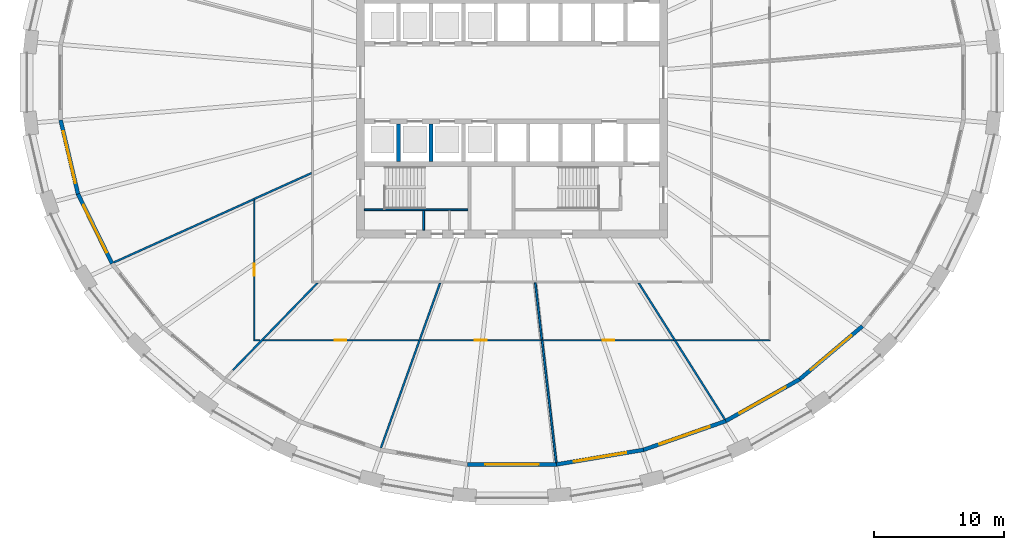
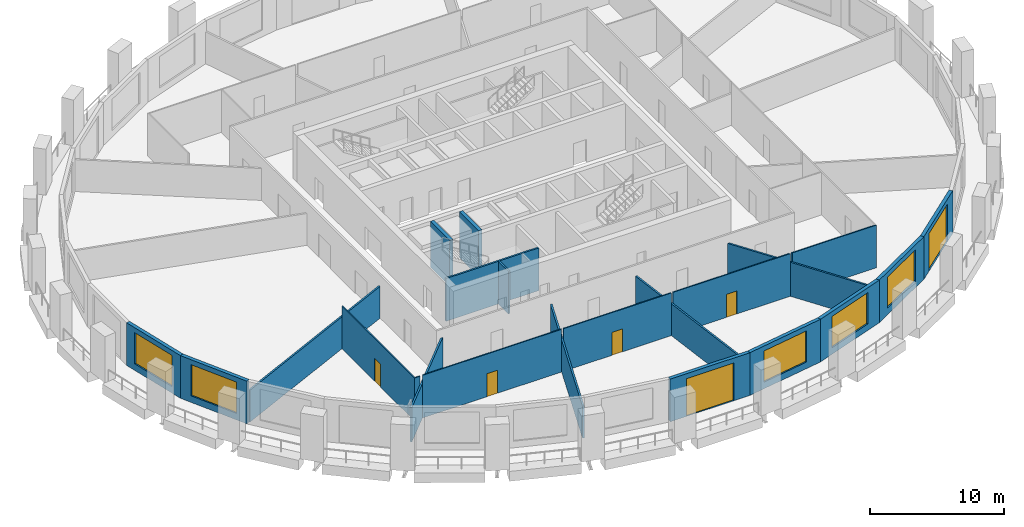
# One storey, part 3 of 11: 24 walls, 6 doors, 5 windows, 11 openings.
"""IFC4 building model written with IfcOpenShell, lengths in metres."""

from ifc_helpers import new_model, si_unit, direction, frame, frame_2d, origin, place, context, subcontext, project, spatial, polyline, rectangle, outline, extrude, material, layer, layer_set, type_object, element, fill, save


model = new_model("IFC4")

# Units and contexts
model_context = context("Model", 3, precision=1e-05, world=origin(), true_north=direction((0.0, 1.0)))
body_context = subcontext(model_context, "Body", "Model", "MODEL_VIEW")
ifc_project = project(units=[si_unit("LENGTHUNIT", "METRE"), si_unit("AREAUNIT", "SQUARE_METRE"), si_unit("VOLUMEUNIT", "CUBIC_METRE"), si_unit("PLANEANGLEUNIT", "RADIAN"), si_unit("MASSUNIT", "GRAM", prefix="KILO")], contexts=[model_context])

# Site, building, storey
site_placement = place(None, origin())
site = spatial("IfcSite", under=ifc_project, at=site_placement, CompositionType="ELEMENT")
building_placement = place(site_placement, origin())
building = spatial("IfcBuilding", under=site, at=building_placement, Name="Halqa Exchange Tower", CompositionType="ELEMENT")
storey_placement = place(building_placement, frame((0.0, 0.0, 44.5)))
storey = spatial("IfcBuildingStorey", under=building, at=storey_placement, Name="L09", CompositionType="ELEMENT", Elevation=44.5)

# Walls
ifc_material_1 = material(Name="Fire-rated gypsum board")
ifc_layer_1 = layer(ifc_material_1, 0.14990234375)
ifc_layer_set_1 = layer_set([ifc_layer_1], Name="Fire-rated gypsum board")
wall_type_1 = type_object("IfcWallType", Name="Fire partition EI 60 150", PredefinedType="PARTITIONING", material=ifc_layer_set_1)
wall_1_placement = place(storey_placement, frame((-30.744384765625, -13.8955078125, 0.0), z_axis=(0.0, 0.0, 1.0), x_axis=(0.91143189519, 0.411450969654, 0.0)))
element("IfcWall", 1, at=wall_1_placement, inside=storey, type_object=wall_type_1, Name="L09-PWL-001", PredefinedType="PARTITIONING", context=body_context, shape_type="SweptSolid", body=[
    extrude(outline(polyline([(0.0205078125, -0.074951171875), (1.9853515625, -0.074951171875), (3.9501953125, -0.074951171875), (5.9150390625, -0.074951171875), (7.8798828125, -0.074951171875), (9.8447265625, -0.074951171875), (11.8095703125, -0.074951171875), (11.810546875, -0.07275390625), (11.815185546875, -0.074951171875), (11.90234375, -0.074951171875), (11.90234375, -0.06591796875), (11.90234375, -0.06591796875), (11.90234375, 0.0615234375), (11.90234375, 0.074951171875), (9.918701171875, 0.074951171875), (7.934814453125, 0.074951171875), (5.951171875, 0.074951171875), (3.967529296875, 0.074951171875), (1.983642578125, 0.074951171875), (0.0, 0.074951171875), (0.0, 0.066162109375), (0.002197265625, -0.00146484375), (0.0205078125, -0.074951171875)])), origin(), (0.0, 0.0, 1.0), 2.909912109375),
])
wall_2_placement = place(storey_placement, frame((-19.89990234375, -8.989990234375, 0.0), z_axis=(0.0, 0.0, 1.0), x_axis=(0.911546381607, 0.411197269178, 0.0)))
element("IfcWall", 2, at=wall_2_placement, inside=storey, type_object=wall_type_1, Name="L09-PWL-005", PredefinedType="PARTITIONING", context=body_context, shape_type="SweptSolid", body=[
    extrude(outline(polyline([(0.020263671875, -0.074951171875), (1.620361328125, -0.074951171875), (3.220458984375, -0.074951171875), (4.820556640625, -0.074951171875), (4.88818359375, 0.074951171875), (3.2587890625, 0.074951171875), (1.62939453125, 0.074951171875), (0.0, 0.074951171875), (0.0, -0.06591796875), (0.020263671875, -0.074951171875)])), origin(), (0.0, 0.0, 1.0), 2.909912109375),
])
wall_3_placement = place(storey_placement, frame((-10.119384765625, -28.209228515625, 0.0), z_axis=(0.0, 0.0, 1.0), x_axis=(0.337949016046, 0.941164418448, 0.0)))
element("IfcWall", 3, at=wall_3_placement, inside=storey, type_object=wall_type_1, Name="L09-PWL-014", PredefinedType="PARTITIONING", context=body_context, shape_type="SweptSolid", body=[
    extrude(outline(polyline([(0.013916015625, -0.074951171875), (1.791748046875, -0.074951171875), (3.569580078125, -0.074951171875), (5.347412109375, -0.074951171875), (7.12548828125, -0.074951171875), (8.9033203125, -0.074951171875), (8.908203125, -0.0732421875), (8.90869140625, -0.074951171875), (10.4580078125, -0.074951171875), (12.007568359375, -0.074951171875), (13.556884765625, -0.074951171875), (13.556884765625, -0.073974609375), (13.554931640625, -0.068603515625), (13.554931640625, -0.068603515625), (13.50341796875, 0.074951171875), (11.919189453125, 0.074951171875), (10.335205078125, 0.074951171875), (8.751220703125, 0.074951171875), (8.7490234375, 0.07421875), (8.74853515625, 0.074951171875), (6.9990234375, 0.074951171875), (5.249267578125, 0.074951171875), (3.49951171875, 0.074951171875), (1.749755859375, 0.074951171875), (0.0, 0.074951171875), (0.0, 0.070556640625), (0.00048828125, -0.00048828125), (0.013916015625, -0.074951171875)])), origin(), (0.0, 0.0, 1.0), 2.909912109375),
])
wall_4_placement = place(storey_placement, frame((1.797607421875, -15.466552734375, 0.0), z_axis=(0.0, 0.0, 1.0), x_axis=(0.114783679138, -0.993390510828, 0.0)))
element("IfcWall", 4, at=wall_4_placement, inside=storey, type_object=wall_type_1, Name="L09-PWL-018", PredefinedType="PARTITIONING", context=body_context, shape_type="SweptSolid", body=[
    extrude(outline(polyline([(0.0, -0.074951171875), (1.468017578125, -0.074951171875), (2.93603515625, -0.074951171875), (4.404052734375, -0.074951171875), (4.404052734375, -0.07470703125), (4.406982421875, -0.074951171875), (4.413330078125, -0.074951171875), (4.413330078125, 0.074951171875), (2.947998046875, 0.074951171875), (1.482666015625, 0.074951171875), (0.01708984375, 0.074951171875), (0.0, -0.073486328125), (0.0, -0.074951171875)])), origin(), (0.0, 0.0, 1.0), 2.909912109375),
])
wall_5_placement = place(storey_placement, frame((2.314208984375, -19.850341796875, 0.0), z_axis=(0.0, 0.0, 1.0), x_axis=(0.115247328534, -0.9933368277, 0.0)))
element("IfcWall", 5, at=wall_5_placement, inside=storey, type_object=wall_type_1, Name="L09-PWL-020", PredefinedType="PARTITIONING", context=body_context, shape_type="SweptSolid", body=[
    extrude(outline(polyline([(0.0888671875, -0.074951171875), (1.979248046875, -0.074951171875), (3.86962890625, -0.074951171875), (5.760009765625, -0.074951171875), (7.650390625, -0.074951171875), (9.540771484375, -0.074951171875), (9.545654296875, -0.033935546875), (9.545654296875, 0.074951171875), (7.658447265625, 0.074951171875), (5.77099609375, 0.074951171875), (3.8837890625, 0.074951171875), (1.996337890625, 0.074951171875), (0.109130859375, 0.074951171875), (0.10888671875, 0.07373046875), (0.098388671875, 0.074951171875), (0.0, 0.074951171875), (0.0, -0.064697265625), (0.0888671875, -0.074951171875)])), origin(), (0.0, 0.0, 1.0), 2.909912109375),
])
wall_6_placement = place(storey_placement, frame((9.752197265625, -15.43505859375, 0.0), z_axis=(0.0, 0.0, 1.0), x_axis=(0.534413972524, -0.845222873549, 0.0)))
element("IfcWall", 6, at=wall_6_placement, inside=storey, type_object=wall_type_1, Name="L09-PWL-023", PredefinedType="PARTITIONING", context=body_context, shape_type="SweptSolid", body=[
    extrude(outline(polyline([(0.0, -0.074951171875), (1.725341796875, -0.074951171875), (3.45068359375, -0.074951171875), (5.176025390625, -0.074951171875), (5.17724609375, -0.07275390625), (5.1806640625, -0.074951171875), (7.00537109375, -0.074951171875), (8.830322265625, -0.074951171875), (10.655029296875, -0.074951171875), (12.479736328125, -0.074951171875), (12.497314453125, 0.001220703125), (12.50048828125, 0.064208984375), (12.50048828125, 0.074951171875), (10.72265625, 0.074951171875), (8.94482421875, 0.074951171875), (7.1669921875, 0.074951171875), (5.38916015625, 0.074951171875), (5.387451171875, 0.072265625), (5.38330078125, 0.074951171875), (3.620361328125, 0.074951171875), (1.857666015625, 0.074951171875), (0.0947265625, 0.074951171875), (0.0, -0.07470703125), (0.0, -0.074951171875)])), origin(), (0.0, 0.0, 1.0), 3.110107421875),
])
wall_7_placement = place(storey_placement, frame((-21.537109375, -22.19384765625, 0.0), z_axis=(0.0, 0.0, 1.0), x_axis=(0.696644213118, 0.71741678286, 0.0)))
element("IfcWall", 7, at=wall_7_placement, inside=storey, type_object=wall_type_1, Name="L09-PWL-041", PredefinedType="PARTITIONING", context=body_context, shape_type="SweptSolid", body=[
    extrude(outline(polyline([(0.0, -0.074951171875), (1.66748046875, -0.074951171875), (3.3349609375, -0.074951171875), (3.33740234375, -0.072509765625), (3.33984375, -0.074951171875), (4.8642578125, -0.074951171875), (6.388916015625, -0.074951171875), (7.913330078125, -0.074951171875), (9.437744140625, -0.074951171875), (9.437744140625, -0.074462890625), (9.344970703125, 0.02099609375), (9.344970703125, 0.02099609375), (9.29248046875, 0.074951171875), (7.734130859375, 0.074951171875), (6.17578125, 0.074951171875), (4.6171875, 0.074951171875), (3.058837890625, 0.074951171875), (3.056884765625, 0.072998046875), (3.054931640625, 0.074951171875), (1.52734375, 0.074951171875), (0.0, 0.074951171875), (0.0, -0.074951171875)])), origin(), (0.0, 0.0, 1.0), 3.14697265625),
])

# Wall, opening, door
ifc_material_2 = material(Name="Gypsum board")
ifc_layer_2 = layer(ifc_material_2, 0.10009765625)
ifc_layer_set_2 = layer_set([ifc_layer_2], Name="Gypsum board")
wall_type_2 = type_object("IfcWallType", Name="Partition 100 gypsum", PredefinedType="PARTITIONING", material=ifc_layer_set_2)
wall_8_placement = place(storey_placement, frame((-19.89990234375, -19.949951171875, 0.0), z_axis=(0.0, 0.0, 1.0), x_axis=(0.0, 1.0, 0.0)))
wall_8 = element("IfcWall", 8, at=wall_8_placement, inside=storey, type_object=wall_type_2, Name="L09-PWL-004", PredefinedType="PARTITIONING", context=body_context, shape_type="SweptSolid", body=[
    extrude(outline(polyline([(10.89990234375, -0.050048828125), (10.89990234375, -0.04931640625), (10.8916015625, -0.03076171875), (10.88330078125, -0.034423828125), (10.84521484375, 0.050048828125), (9.03759765625, 0.050048828125), (7.22998046875, 0.050048828125), (5.422607421875, 0.050048828125), (3.614990234375, 0.050048828125), (1.8076171875, 0.050048828125), (0.0, 0.050048828125), (0.099853515625, -0.0498046875), (0.10009765625, -0.050048828125), (1.900146484375, -0.050048828125), (3.699951171875, -0.050048828125), (5.5, -0.050048828125), (7.300048828125, -0.050048828125), (9.099853515625, -0.050048828125), (10.89990234375, -0.050048828125)])), origin(), (0.0, 0.0, 1.0), 3.89990234375),
])
opening_1_placement = place(wall_8_placement, frame((5.050048828125, 0.0, 0.0)))
opening_1 = element("IfcOpeningElement", 9, at=opening_1_placement, cuts=wall_8, Name="Opening 02-18", PredefinedType="OPENING", context=body_context, shape_type="SweptSolid", body=[
    extrude(rectangle(XDim=0.89990234375, YDim=2.10009765625, at=frame_2d((0.449951171875, 1.050048828125))), frame((0.0, 0.06201171875, 0.0), z_axis=(0.0, -1.0, 0.0), x_axis=(1.0, 0.0, 0.0)), (0.0, 0.0, 1.0), 0.1240234375),
])
ifc_material_3 = material(Name="Timber door leaf", Category="wood")
door_type_1 = type_object("IfcDoorType", Name="Door 900 x 2100", OperationType="SINGLE_SWING_LEFT", PredefinedType="DOOR", material=ifc_material_3)
door_1_placement = place(opening_1_placement, frame((0.89990234375, 0.0, 0.0), z_axis=(0.0, 0.0, 1.0), x_axis=(-1.0, 0.0, 0.0)))
door_1 = element("IfcDoor", 10, at=door_1_placement, inside=storey, type_object=door_type_1, Name="L09-IDR-018", OperationType="SINGLE_SWING_LEFT", OverallHeight=2.10009765625, OverallWidth=0.89990234375, PredefinedType="DOOR", context=body_context, shape_type="SweptSolid", body=[
    extrude(rectangle(XDim=0.89990234375, YDim=2.10009765625, at=frame_2d((0.449951171875, 1.050048828125))), frame((0.0, 0.02490234375, 0.0), z_axis=(0.0, -1.0, 0.0), x_axis=(1.0, 0.0, 0.0)), (0.0, 0.0, 1.0), 0.050048828125),
])
fill(opening_1, door_1)

# Wall
wall_9_placement = place(storey_placement, frame((-19.4599609375, -19.89990234375, 0.0), z_axis=(0.0, 0.0, 1.0), x_axis=(-1.0, 0.0, 0.0)))
element("IfcWall", 11, at=wall_9_placement, inside=storey, type_object=wall_type_2, Name="L09-PWL-008", PredefinedType="PARTITIONING", context=body_context, shape_type="SweptSolid", body=[
    extrude(outline(polyline([(0.0, -0.050048828125), (0.389892578125, -0.050048828125), (0.489990234375, 0.050048828125), (0.0, 0.050048828125), (0.0, -0.050048828125)])), origin(), (0.0, 0.0, 1.0), 3.89990234375),
])

# Wall, opening, door
wall_10_placement = place(storey_placement, frame((-7.197998046875, -19.89990234375, 0.0), z_axis=(0.0, 0.0, 1.0), x_axis=(-1.0, 0.0, 0.0)))
wall_10 = element("IfcWall", 12, at=wall_10_placement, inside=storey, type_object=wall_type_2, Name="L09-PWL-016", PredefinedType="PARTITIONING", context=body_context, shape_type="SweptSolid", body=[
    extrude(outline(polyline([(0.0, -0.050048828125), (1.9931640625, -0.050048828125), (3.986083984375, -0.050048828125), (5.979248046875, -0.050048828125), (7.972412109375, -0.050048828125), (9.96533203125, -0.050048828125), (11.95849609375, -0.050048828125), (12.055419921875, 0.0498046875), (12.055419921875, 0.050048828125), (10.33837890625, 0.050048828125), (8.62109375, 0.050048828125), (6.904052734375, 0.050048828125), (5.186767578125, 0.050048828125), (3.4697265625, 0.050048828125), (1.752685546875, 0.050048828125), (0.035400390625, 0.050048828125), (0.0, -0.048583984375), (0.0, -0.050048828125)])), origin(), (0.0, 0.0, 1.0), 3.89990234375),
])
opening_2_placement = place(wall_10_placement, frame((5.576904296875, 0.0, 0.0)))
opening_2 = element("IfcOpeningElement", 13, at=opening_2_placement, cuts=wall_10, Name="Opening 02-19", PredefinedType="OPENING", context=body_context, shape_type="SweptSolid", body=[
    extrude(rectangle(XDim=0.89990234375, YDim=2.10009765625, at=frame_2d((0.449951171875, 1.050048828125))), frame((0.0, 0.06201171875, 0.0), z_axis=(0.0, -1.0, 0.0), x_axis=(1.0, 0.0, 0.0)), (0.0, 0.0, 1.0), 0.1240234375),
])
door_2_placement = place(opening_2_placement, frame((0.89990234375, 0.0, 0.0), z_axis=(0.0, 0.0, 1.0), x_axis=(-1.0, 0.0, 0.0)))
door_2 = element("IfcDoor", 14, at=door_2_placement, inside=storey, type_object=door_type_1, Name="L09-IDR-019", OperationType="SINGLE_SWING_LEFT", OverallHeight=2.10009765625, OverallWidth=0.89990234375, PredefinedType="DOOR", context=body_context, shape_type="SweptSolid", body=[
    extrude(rectangle(XDim=0.89990234375, YDim=2.10009765625, at=frame_2d((0.449951171875, 1.050048828125))), frame((0.0, 0.02490234375, 0.0), z_axis=(0.0, -1.0, 0.0), x_axis=(1.0, 0.0, 0.0)), (0.0, 0.0, 1.0), 0.050048828125),
])
fill(opening_2, door_2)

wall_11_placement = place(storey_placement, frame((2.25, -19.89990234375, 0.0), z_axis=(0.0, 0.0, 1.0), x_axis=(-1.0, 0.0, 0.0)))
wall_11 = element("IfcWall", 15, at=wall_11_placement, inside=storey, type_object=wall_type_2, Name="L09-PWL-019", PredefinedType="PARTITIONING", context=body_context, shape_type="SweptSolid", body=[
    extrude(outline(polyline([(0.021240234375, -0.050048828125), (1.874755859375, -0.050048828125), (3.72802734375, -0.050048828125), (5.581298828125, -0.050048828125), (7.434814453125, -0.050048828125), (9.2880859375, -0.050048828125), (9.323974609375, 0.050048828125), (9.323974609375, 0.050048828125), (7.459228515625, 0.050048828125), (5.594482421875, 0.050048828125), (3.7294921875, 0.050048828125), (1.86474609375, 0.050048828125), (0.0, 0.050048828125), (0.0, 0.04736328125), (0.01025390625, -0.041015625), (0.0, -0.0419921875), (0.0, -0.042724609375), (0.020263671875, -0.04052734375), (0.021240234375, -0.050048828125)])), origin(), (0.0, 0.0, 1.0), 3.89990234375),
])
opening_3_placement = place(wall_11_placement, frame((4.215087890625, 0.0, 0.0)))
opening_3 = element("IfcOpeningElement", 16, at=opening_3_placement, cuts=wall_11, Name="Opening 02-20", PredefinedType="OPENING", context=body_context, shape_type="SweptSolid", body=[
    extrude(rectangle(XDim=0.89990234375, YDim=2.10009765625, at=frame_2d((0.449951171875, 1.050048828125))), frame((0.0, 0.06201171875, 0.0), z_axis=(0.0, -1.0, 0.0), x_axis=(1.0, 0.0, 0.0)), (0.0, 0.0, 1.0), 0.1240234375),
])
door_3_placement = place(opening_3_placement, frame((0.89990234375, 0.0, 0.0), z_axis=(0.0, 0.0, 1.0), x_axis=(-1.0, 0.0, 0.0)))
door_3 = element("IfcDoor", 17, at=door_3_placement, inside=storey, type_object=door_type_1, Name="L09-IDR-020", OperationType="SINGLE_SWING_RIGHT", OverallHeight=2.10009765625, OverallWidth=0.89990234375, PredefinedType="DOOR", context=body_context, shape_type="SweptSolid", body=[
    extrude(rectangle(XDim=0.89990234375, YDim=2.10009765625, at=frame_2d((0.449951171875, 1.050048828125))), frame((0.0, 0.02490234375, 0.0), z_axis=(0.0, -1.0, 0.0), x_axis=(1.0, 0.0, 0.0)), (0.0, 0.0, 1.0), 0.050048828125),
])
fill(opening_3, door_3)

wall_12_placement = place(storey_placement, frame((12.51806640625, -19.89990234375, 0.0), z_axis=(0.0, 0.0, 1.0), x_axis=(-1.0, 0.0, 0.0)))
wall_12 = element("IfcWall", 18, at=wall_12_placement, inside=storey, type_object=wall_type_2, Name="L09-PWL-024", PredefinedType="PARTITIONING", context=body_context, shape_type="SweptSolid", body=[
    extrude(outline(polyline([(10.128173828125, -0.050048828125), (10.128173828125, -0.0478515625), (10.11669921875, 0.050048828125), (8.4306640625, 0.050048828125), (6.74462890625, 0.050048828125), (5.058349609375, 0.050048828125), (3.372314453125, 0.050048828125), (1.68603515625, 0.050048828125), (0.0, 0.050048828125), (0.0, 0.050048828125), (0.063232421875, -0.050048828125), (1.74072265625, -0.050048828125), (3.418212890625, -0.050048828125), (5.095703125, -0.050048828125), (6.773193359375, -0.050048828125), (8.45068359375, -0.050048828125), (10.128173828125, -0.050048828125)])), origin(), (0.0, 0.0, 1.0), 3.89990234375),
])
opening_4_placement = place(wall_12_placement, frame((4.617919921875, 0.0, 0.0)))
opening_4 = element("IfcOpeningElement", 19, at=opening_4_placement, cuts=wall_12, Name="Opening 02-21", PredefinedType="OPENING", context=body_context, shape_type="SweptSolid", body=[
    extrude(rectangle(XDim=0.89990234375, YDim=2.10009765625, at=frame_2d((0.449951171875, 1.050048828125))), frame((0.0, 0.06201171875, 0.0), z_axis=(0.0, -1.0, 0.0), x_axis=(1.0, 0.0, 0.0)), (0.0, 0.0, 1.0), 0.1240234375),
])
door_4_placement = place(opening_4_placement, frame((0.89990234375, 0.0, 0.0), z_axis=(0.0, 0.0, 1.0), x_axis=(-1.0, 0.0, 0.0)))
door_4 = element("IfcDoor", 20, at=door_4_placement, inside=storey, type_object=door_type_1, Name="L09-IDR-021", OperationType="SINGLE_SWING_RIGHT", OverallHeight=2.10009765625, OverallWidth=0.89990234375, PredefinedType="DOOR", context=body_context, shape_type="SweptSolid", body=[
    extrude(rectangle(XDim=0.89990234375, YDim=2.10009765625, at=frame_2d((0.449951171875, 1.050048828125))), frame((0.0, 0.02490234375, 0.0), z_axis=(0.0, -1.0, 0.0), x_axis=(1.0, 0.0, 0.0)), (0.0, 0.0, 1.0), 0.050048828125),
])
fill(opening_4, door_4)

# Walls
wall_13_placement = place(storey_placement, frame((19.949951171875, -19.89990234375, 0.0), z_axis=(0.0, 0.0, 1.0), x_axis=(-1.0, 0.0, 0.0)))
element("IfcWall", 21, at=wall_13_placement, inside=storey, type_object=wall_type_2, Name="L09-PWL-031", PredefinedType="PARTITIONING", context=body_context, shape_type="SweptSolid", body=[
    extrude(outline(polyline([(7.3173828125, -0.050048828125), (7.3173828125, -0.049560546875), (7.25439453125, 0.050048828125), (5.440673828125, 0.050048828125), (3.627197265625, 0.050048828125), (1.8134765625, 0.050048828125), (0.0, 0.050048828125), (0.099853515625, -0.0498046875), (0.10009765625, -0.050048828125), (1.904296875, -0.050048828125), (3.708740234375, -0.050048828125), (5.51318359375, -0.050048828125), (7.3173828125, -0.050048828125)])), origin(), (0.0, 0.0, 1.0), 3.89990234375),
])
ifc_layer_3 = layer(ifc_material_2, 0.14990234375)
ifc_layer_set_3 = layer_set([ifc_layer_3], Name="Gypsum board")
wall_type_3 = type_object("IfcWallType", Name="Penthouse riser wall 150 gypsum", PredefinedType="PARTITIONING", material=ifc_layer_set_3)
wall_14_placement = place(storey_placement, frame((-6.824951171875, -11.39990234375, 0.0), z_axis=(0.0, 0.0, 1.0), x_axis=(0.0, 1.0, 0.0)))
element("IfcWall", 22, at=wall_14_placement, inside=storey, type_object=wall_type_3, Name="Partition W6.825 S", PredefinedType="PARTITIONING", context=body_context, shape_type="SweptSolid", body=[
    extrude(rectangle(XDim=1.5, YDim=0.14990234375, at=frame_2d((0.75, 0.0))), origin(), (0.0, 0.0, 1.0), 3.89990234375),
])
ifc_material_4 = material(Name="Concrete C60/75", Category="concrete")
ifc_layer_4 = layer(ifc_material_4, 0.300048828125)
ifc_layer_set_4 = layer_set([ifc_layer_4], Name="Concrete C60/75")
wall_type_4 = type_object("IfcWallType", Name="RC core wall 300", PredefinedType="SHEAR", material=ifc_layer_set_4)
for number, where, z_axis, x_axis, name in (
    (23, (-8.75, -6.10009765625, 0.0), (0.0, 0.0, 1.0), (0.0, 1.0, 0.0), "Shaft divider S1"),
    (24, (-6.25, -6.10009765625, 0.0), (0.0, 0.0, 1.0), (0.0, 1.0, 0.0), "Shaft divider S2"),
):
    element("IfcWall", number, at=place(storey_placement, frame(where, z_axis=z_axis, x_axis=x_axis)), inside=storey, type_object=wall_type_4, Name=name, PredefinedType="SHEAR", context=body_context, shape_type="SweptSolid", body=[
        extrude(rectangle(XDim=2.900146484375, YDim=0.300048828125, at=frame_2d((1.4501953125, 0.0))), origin(), (0.0, 0.0, 1.0), 4.199951171875),
    ])
ifc_material_5 = material(Name="Concrete C30/37", Category="concrete")
ifc_layer_5 = layer(ifc_material_5, 0.14990234375)
ifc_layer_set_5 = layer_set([ifc_layer_5], Name="Concrete C30/37")
wall_type_5 = type_object("IfcWallType", Name="RC stair wall 150 C30/37", PredefinedType="SHEAR", material=ifc_layer_set_5)
wall_15_placement = place(storey_placement, frame((-11.39990234375, -9.824951171875, 0.0), z_axis=(0.0, 0.0, 1.0), x_axis=(1.0, 0.0, 0.0)))
element("IfcWall", 25, at=wall_15_placement, inside=storey, type_object=wall_type_5, Name="Stair ST1 north wall S", PredefinedType="SHEAR", context=body_context, shape_type="SweptSolid", body=[
    extrude(rectangle(XDim=8.0, YDim=0.14990234375, at=frame_2d((4.0, 0.0))), origin(), (0.0, 0.0, 1.0), 3.89990234375),
])

# Wall, opening, window
ifc_material_6 = material(Name="Limestone cladding", Category="masonry")
ifc_layer_6 = layer(ifc_material_6, 0.0400390625)
ifc_material_7 = material(Name="Ventilated cavity")
ifc_layer_7 = layer(ifc_material_7, 0.030029296875, ventilated=True)
ifc_material_8 = material(Name="Mineral wool insulation")
ifc_layer_8 = layer(ifc_material_8, 0.10009765625)
ifc_layer_9 = layer(ifc_material_5, 0.10009765625)
ifc_material_9 = material(Name="Internal plaster")
ifc_layer_10 = layer(ifc_material_9, 0.030029296875)
ifc_layer_set_6 = layer_set([ifc_layer_6, ifc_layer_7, ifc_layer_8, ifc_layer_9, ifc_layer_10], Name="Stone-faced insulated wall 300")
wall_type_6 = type_object("IfcWallType", Name="Stone-faced insulated wall 300", PredefinedType="STANDARD", material=ifc_layer_set_6)
wall_16_placement = place(storey_placement, frame((-34.840087890625, -2.90673828125, 0.0), z_axis=(0.0, 0.0, 1.0), x_axis=(0.228976600496, -0.97343192696, 0.0)))
wall_16 = element("IfcWall", 26, at=wall_16_placement, inside=storey, type_object=wall_type_6, Name="Glass-line wall 17", PredefinedType="STANDARD", context=body_context, shape_type="SweptSolid", body=[
    extrude(outline(polyline([(-0.017333984375, -0.14990234375), (5.87353515625, -0.14990234375), (5.83984375, 0.14990234375), (0.017333984375, 0.14990234375), (-0.017333984375, -0.14990234375)])), origin(), (0.0, 0.0, 1.0), 3.89990234375),
])
opening_5_placement = place(wall_16_placement, frame((0.87841796875, 0.0, 0.60009765625)))
opening_5 = element("IfcOpeningElement", 27, at=opening_5_placement, cuts=wall_16, Name="Opening W-F1-17", PredefinedType="OPENING", context=body_context, shape_type="SweptSolid", body=[
    extrude(rectangle(XDim=4.10009765625, YDim=2.85009765625, at=frame_2d((2.050048828125, 1.425048828125))), frame((0.0, 0.162109375, 0.0), z_axis=(0.0, -1.0, 0.0), x_axis=(1.0, 0.0, 0.0)), (0.0, 0.0, 1.0), 0.323974609375),
])
ifc_material_10 = material(Name="Clear low-emissivity glass in aluminium frame", Category="aluminium")
window_type = type_object("IfcWindowType", Name="Fixed clear glazed window 4100 x 2850", PartitioningType="TRIPLE_PANEL_VERTICAL", PredefinedType="WINDOW", material=ifc_material_10)
window_1_placement = place(opening_5_placement, origin())
window_1 = element("IfcWindow", 28, at=window_1_placement, inside=storey, type_object=window_type, Name="Window 1", OverallHeight=2.85009765625, OverallWidth=4.10009765625, PartitioningType="TRIPLE_PANEL_VERTICAL", PredefinedType="WINDOW", context=body_context, shape_type="SweptSolid", body=[
    extrude(rectangle(XDim=4.10009765625, YDim=2.85009765625, at=frame_2d((2.050048828125, 1.425048828125))), frame((0.0, 0.030029296875, 0.0), z_axis=(0.0, -1.0, 0.0), x_axis=(1.0, 0.0, 0.0)), (0.0, 0.0, 1.0), 0.06005859375),
])
fill(opening_5, window_1)

wall_17_placement = place(storey_placement, frame((-33.4990234375, -8.60791015625, 0.0), z_axis=(0.0, 0.0, 1.0), x_axis=(0.439896354052, -0.898048549741, 0.0)))
wall_17 = element("IfcWall", 29, at=wall_17_placement, inside=storey, type_object=wall_type_6, Name="Glass-line wall 18", PredefinedType="STANDARD", context=body_context, shape_type="SweptSolid", body=[
    extrude(outline(polyline([(-0.016845703125, -0.14990234375), (5.993896484375, -0.14990234375), (5.961669921875, 0.14990234375), (0.016845703125, 0.14990234375), (-0.016845703125, -0.14990234375)])), origin(), (0.0, 0.0, 1.0), 3.89990234375),
])
opening_6_placement = place(wall_17_placement, frame((0.93896484375, 0.0, 0.60009765625)))
opening_6 = element("IfcOpeningElement", 30, at=opening_6_placement, cuts=wall_17, Name="Opening W-F1-18", PredefinedType="OPENING", context=body_context, shape_type="SweptSolid", body=[
    extrude(rectangle(XDim=4.10009765625, YDim=2.85009765625, at=frame_2d((2.050048828125, 1.425048828125))), frame((0.0, 0.162109375, 0.0), z_axis=(0.0, -1.0, 0.0), x_axis=(1.0, 0.0, 0.0)), (0.0, 0.0, 1.0), 0.323974609375),
])
window_2_placement = place(opening_6_placement, origin())
window_2 = element("IfcWindow", 31, at=window_2_placement, inside=storey, type_object=window_type, Name="Window 1", OverallHeight=2.85009765625, OverallWidth=4.10009765625, PartitioningType="TRIPLE_PANEL_VERTICAL", PredefinedType="WINDOW", context=body_context, shape_type="SweptSolid", body=[
    extrude(rectangle(XDim=4.10009765625, YDim=2.85009765625, at=frame_2d((2.050048828125, 1.425048828125))), frame((0.0, 0.030029296875, 0.0), z_axis=(0.0, -1.0, 0.0), x_axis=(1.0, 0.0, 0.0)), (0.0, 0.0, 1.0), 0.06005859375),
])
fill(opening_6, window_2)

# Wall, opening, door
wall_18_placement = place(storey_placement, frame((-3.42919921875, -29.486328125, 0.0), z_axis=(0.0, 0.0, 1.0), x_axis=(1.0, 0.0, 0.0)))
wall_18 = element("IfcWall", 32, at=wall_18_placement, inside=storey, type_object=wall_type_6, Name="Glass-line wall 24", PredefinedType="STANDARD", context=body_context, shape_type="SweptSolid", body=[
    extrude(outline(polyline([(-0.012451171875, -0.14990234375), (6.870849609375, -0.14990234375), (6.845947265625, 0.14990234375), (0.012451171875, 0.14990234375), (-0.012451171875, -0.14990234375)])), origin(), (0.0, 0.0, 1.0), 3.89990234375),
])
opening_7_placement = place(wall_18_placement, frame((1.379150390625, 0.0, 0.0)))
opening_7 = element("IfcOpeningElement", 33, at=opening_7_placement, cuts=wall_18, Name="Opening LG-F1-06", PredefinedType="OPENING", context=body_context, shape_type="SweptSolid", body=[
    extrude(rectangle(XDim=4.10009765625, YDim=3.449951171875, at=frame_2d((2.050048828125, 1.72509765625))), frame((0.0, 0.162109375, 0.0), z_axis=(0.0, -1.0, 0.0), x_axis=(1.0, 0.0, 0.0)), (0.0, 0.0, 1.0), 0.323974609375),
])
door_type_2 = type_object("IfcDoorType", Name="Glazed sliding loggia door 4100 x 3450", OperationType="DOUBLE_DOOR_SLIDING", PredefinedType="DOOR", material=ifc_material_10)
door_5_placement = place(opening_7_placement, origin())
door_5 = element("IfcDoor", 34, at=door_5_placement, inside=storey, type_object=door_type_2, Name="Loggia door 6", OperationType="DOUBLE_DOOR_SLIDING", OverallHeight=3.449951171875, OverallWidth=4.10009765625, PredefinedType="DOOR", context=body_context, shape_type="SweptSolid", body=[
    extrude(rectangle(XDim=4.10009765625, YDim=3.449951171875, at=frame_2d((2.050048828125, 1.72509765625))), frame((0.0, 0.02490234375, 0.0), z_axis=(0.0, -1.0, 0.0), x_axis=(1.0, 0.0, 0.0)), (0.0, 0.0, 1.0), 0.050048828125),
])
fill(opening_7, door_5)

# Wall, opening, window
wall_19_placement = place(storey_placement, frame((3.42919921875, -29.486328125, 0.0), z_axis=(0.0, 0.0, 1.0), x_axis=(0.986145179906, 0.165884550659, 0.0)))
wall_19 = element("IfcWall", 35, at=wall_19_placement, inside=storey, type_object=wall_type_6, Name="Glass-line wall 25", PredefinedType="STANDARD", context=body_context, shape_type="SweptSolid", body=[
    extrude(outline(polyline([(-0.012451171875, -0.14990234375), (6.834228515625, -0.14990234375), (6.808837890625, 0.14990234375), (0.012451171875, 0.14990234375), (-0.012451171875, -0.14990234375)])), origin(), (0.0, 0.0, 1.0), 3.89990234375),
])
opening_8_placement = place(wall_19_placement, frame((1.36083984375, 0.0, 0.60009765625)))
opening_8 = element("IfcOpeningElement", 36, at=opening_8_placement, cuts=wall_19, Name="Opening W-F1-25", PredefinedType="OPENING", context=body_context, shape_type="SweptSolid", body=[
    extrude(rectangle(XDim=4.10009765625, YDim=2.85009765625, at=frame_2d((2.050048828125, 1.425048828125))), frame((0.0, 0.162109375, 0.0), z_axis=(0.0, -1.0, 0.0), x_axis=(1.0, 0.0, 0.0)), (0.0, 0.0, 1.0), 0.323974609375),
])
window_3_placement = place(opening_8_placement, origin())
window_3 = element("IfcWindow", 37, at=window_3_placement, inside=storey, type_object=window_type, Name="Window 1", OverallHeight=2.85009765625, OverallWidth=4.10009765625, PartitioningType="TRIPLE_PANEL_VERTICAL", PredefinedType="WINDOW", context=body_context, shape_type="SweptSolid", body=[
    extrude(rectangle(XDim=4.10009765625, YDim=2.85009765625, at=frame_2d((2.050048828125, 1.425048828125))), frame((0.0, 0.030029296875, 0.0), z_axis=(0.0, -1.0, 0.0), x_axis=(1.0, 0.0, 0.0)), (0.0, 0.0, 1.0), 0.06005859375),
])
fill(opening_8, window_3)

wall_20_placement = place(storey_placement, frame((10.15625, -28.354736328125, 0.0), z_axis=(0.0, 0.0, 1.0), x_axis=(0.943778979427, 0.330577128657, 0.0)))
wall_20 = element("IfcWall", 38, at=wall_20_placement, inside=storey, type_object=wall_type_6, Name="Glass-line wall 26", PredefinedType="STANDARD", context=body_context, shape_type="SweptSolid", body=[
    extrude(outline(polyline([(-0.0126953125, -0.14990234375), (6.728759765625, -0.14990234375), (6.701904296875, 0.14990234375), (0.0126953125, 0.14990234375), (-0.0126953125, -0.14990234375)])), origin(), (0.0, 0.0, 1.0), 3.89990234375),
])
opening_9_placement = place(wall_20_placement, frame((1.3076171875, 0.0, 0.60009765625)))
opening_9 = element("IfcOpeningElement", 39, at=opening_9_placement, cuts=wall_20, Name="Opening W-F1-26", PredefinedType="OPENING", context=body_context, shape_type="SweptSolid", body=[
    extrude(rectangle(XDim=4.10009765625, YDim=2.85009765625, at=frame_2d((2.050048828125, 1.425048828125))), frame((0.0, 0.162109375, 0.0), z_axis=(0.0, -1.0, 0.0), x_axis=(1.0, 0.0, 0.0)), (0.0, 0.0, 1.0), 0.323974609375),
])
window_4_placement = place(opening_9_placement, origin())
window_4 = element("IfcWindow", 40, at=window_4_placement, inside=storey, type_object=window_type, Name="Window 1", OverallHeight=2.85009765625, OverallWidth=4.10009765625, PartitioningType="TRIPLE_PANEL_VERTICAL", PredefinedType="WINDOW", context=body_context, shape_type="SweptSolid", body=[
    extrude(rectangle(XDim=4.10009765625, YDim=2.85009765625, at=frame_2d((2.050048828125, 1.425048828125))), frame((0.0, 0.030029296875, 0.0), z_axis=(0.0, -1.0, 0.0), x_axis=(1.0, 0.0, 0.0)), (0.0, 0.0, 1.0), 0.06005859375),
])
fill(opening_9, window_4)

wall_21_placement = place(storey_placement, frame((16.494140625, -26.134765625, 0.0), z_axis=(0.0, 0.0, 1.0), x_axis=(0.87061279013, 0.491968870623, 0.0)))
wall_21 = element("IfcWall", 41, at=wall_21_placement, inside=storey, type_object=wall_type_6, Name="Glass-line wall 27", PredefinedType="STANDARD", context=body_context, shape_type="SweptSolid", body=[
    extrude(outline(polyline([(-0.013427734375, -0.14990234375), (6.567626953125, -0.14990234375), (6.539306640625, 0.14990234375), (0.013427734375, 0.14990234375), (-0.013427734375, -0.14990234375)])), origin(), (0.0, 0.0, 1.0), 3.89990234375),
])
opening_10_placement = place(wall_21_placement, frame((1.226806640625, 0.0, 0.60009765625)))
opening_10 = element("IfcOpeningElement", 42, at=opening_10_placement, cuts=wall_21, Name="Opening W-F1-27", PredefinedType="OPENING", context=body_context, shape_type="SweptSolid", body=[
    extrude(rectangle(XDim=4.10009765625, YDim=2.85009765625, at=frame_2d((2.050048828125, 1.425048828125))), frame((0.0, 0.162109375, 0.0), z_axis=(0.0, -1.0, 0.0), x_axis=(1.0, 0.0, 0.0)), (0.0, 0.0, 1.0), 0.323974609375),
])
window_5_placement = place(opening_10_placement, origin())
window_5 = element("IfcWindow", 43, at=window_5_placement, inside=storey, type_object=window_type, Name="Window 1", OverallHeight=2.85009765625, OverallWidth=4.10009765625, PartitioningType="TRIPLE_PANEL_VERTICAL", PredefinedType="WINDOW", context=body_context, shape_type="SweptSolid", body=[
    extrude(rectangle(XDim=4.10009765625, YDim=2.85009765625, at=frame_2d((2.050048828125, 1.425048828125))), frame((0.0, 0.030029296875, 0.0), z_axis=(0.0, -1.0, 0.0), x_axis=(1.0, 0.0, 0.0)), (0.0, 0.0, 1.0), 0.06005859375),
])
fill(opening_10, window_5)

# Wall, opening, door
wall_22_placement = place(storey_placement, frame((22.19970703125, -22.91064453125, 0.0), z_axis=(0.0, 0.0, 1.0), x_axis=(0.763577077796, 0.645716691951, 0.0)))
wall_22 = element("IfcWall", 44, at=wall_22_placement, inside=storey, type_object=wall_type_6, Name="Glass-line wall 28", PredefinedType="STANDARD", context=body_context, shape_type="SweptSolid", body=[
    extrude(outline(polyline([(-0.01416015625, -0.14990234375), (6.372314453125, -0.14990234375), (6.342041015625, 0.14990234375), (0.01416015625, 0.14990234375), (-0.01416015625, -0.14990234375)])), origin(), (0.0, 0.0, 1.0), 3.89990234375),
])
opening_11_placement = place(wall_22_placement, frame((1.128662109375, 0.0, 0.0)))
opening_11 = element("IfcOpeningElement", 45, at=opening_11_placement, cuts=wall_22, Name="Opening LG-F1-07", PredefinedType="OPENING", context=body_context, shape_type="SweptSolid", body=[
    extrude(rectangle(XDim=4.10009765625, YDim=3.449951171875, at=frame_2d((2.050048828125, 1.72509765625))), frame((0.0, 0.162109375, 0.0), z_axis=(0.0, -1.0, 0.0), x_axis=(1.0, 0.0, 0.0)), (0.0, 0.0, 1.0), 0.323974609375),
])
door_6_placement = place(opening_11_placement, origin())
door_6 = element("IfcDoor", 46, at=door_6_placement, inside=storey, type_object=door_type_2, Name="Loggia door 7", OperationType="DOUBLE_DOOR_SLIDING", OverallHeight=3.449951171875, OverallWidth=4.10009765625, PredefinedType="DOOR", context=body_context, shape_type="SweptSolid", body=[
    extrude(rectangle(XDim=4.10009765625, YDim=3.449951171875, at=frame_2d((2.050048828125, 1.72509765625))), frame((0.0, 0.02490234375, 0.0), z_axis=(0.0, -1.0, 0.0), x_axis=(1.0, 0.0, 0.0)), (0.0, 0.0, 1.0), 0.050048828125),
])
fill(opening_11, door_6)

save(model, "model.ifc")
